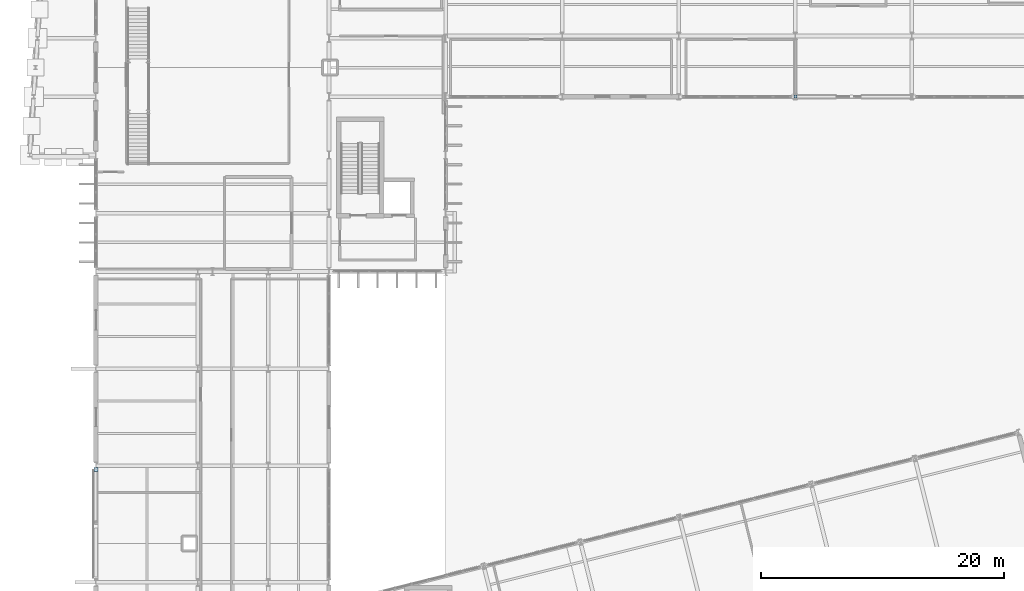
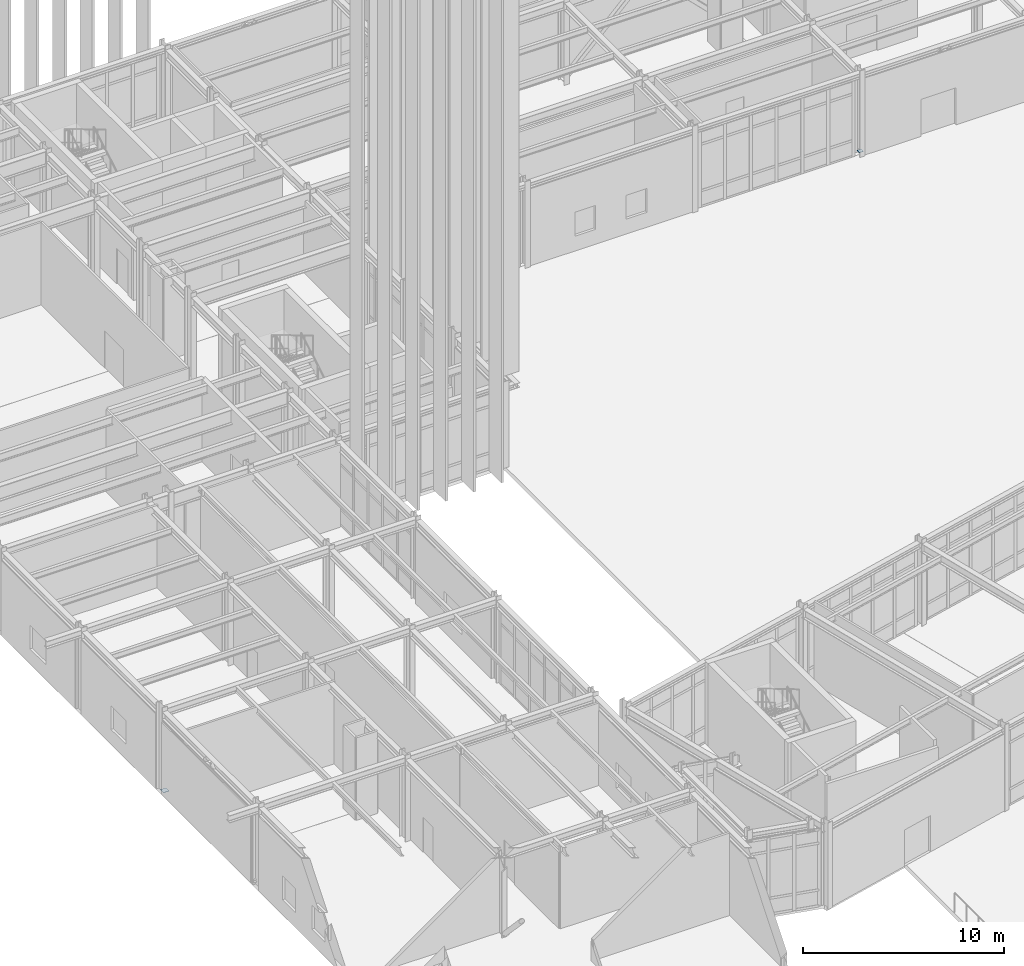
# One storey, part 80 of 109: 2 plates.
"""IFC4 building model written with IfcOpenShell, lengths in metres."""

from ifc_helpers import new_model, si_unit, direction, frame, origin, origin_2d, place, context, subcontext, project, spatial, rectangle, extrude, material, layer, layer_set, type_object, element, save


model = new_model("IFC4")

# Units and contexts
model_context = context("Model", 3, precision=1e-05, world=origin(), true_north=direction((0.0, 1.0)))
body_context = subcontext(model_context, "Body", "Model", "MODEL_VIEW")
ifc_project = project(units=[si_unit("LENGTHUNIT", "METRE"), si_unit("AREAUNIT", "SQUARE_METRE"), si_unit("VOLUMEUNIT", "CUBIC_METRE"), si_unit("PLANEANGLEUNIT", "RADIAN"), si_unit("MASSUNIT", "GRAM", prefix="KILO")], contexts=[model_context])

# Site, building, storey
site_placement = place(None, origin())
site = spatial("IfcSite", under=ifc_project, at=site_placement, CompositionType="ELEMENT")
building_placement = place(site_placement, origin())
building = spatial("IfcBuilding", under=site, at=building_placement, Name="Nordkorset Police Headquarters", CompositionType="ELEMENT")
storey_placement = place(building_placement, origin())
storey = spatial("IfcBuildingStorey", under=building, at=storey_placement, Name="L00", CompositionType="ELEMENT", Elevation=0.0)

# Plates
ifc_material = material(Name="Steel S355J2", Category="steel")
ifc_layer = layer(ifc_material, 0.02001953125, Name="Steel S355J2")
ifc_layer_set = layer_set([ifc_layer], Name="Steel S355J2")
plate_type = type_object("IfcPlateType", Name="SteelPlate_20mm", PredefinedType="SHEET", material=ifc_layer_set)
plate_1_placement = place(storey_placement, frame((57.607421875, 97.60009765625, 0.18994140625), z_axis=(0.0, 0.0, 1.0), x_axis=(1.0, 0.0, 0.0)))
element("IfcPlate", 1, at=plate_1_placement, inside=storey, type_object=plate_type, Name="Hollow Section End Cap Plate BF-EXT-V2S-L00-D1-0", PredefinedType="SHEET", context=body_context, shape_type="SweptSolid", body=[
    extrude(rectangle(XDim=0.239990234375, YDim=0.239990234375, at=origin_2d()), origin(), (0.0, 0.0, 1.0), 0.02001953125),
])
plate_2_placement = place(storey_placement, frame((0.0, 66.89990234375, 0.18994140625), z_axis=(0.0, 0.0, 1.0), x_axis=(1.0, 0.0, 0.0)))
element("IfcPlate", 2, at=plate_2_placement, inside=storey, type_object=plate_type, Name="Hollow Section End Cap Plate BF-EXT-V3W-L00-D2-0", PredefinedType="SHEET", context=body_context, shape_type="SweptSolid", body=[
    extrude(rectangle(XDim=0.31298828125, YDim=0.31298828125, at=origin_2d()), origin(), (0.0, 0.0, 1.0), 0.02001953125),
])

save(model, "model.ifc")
